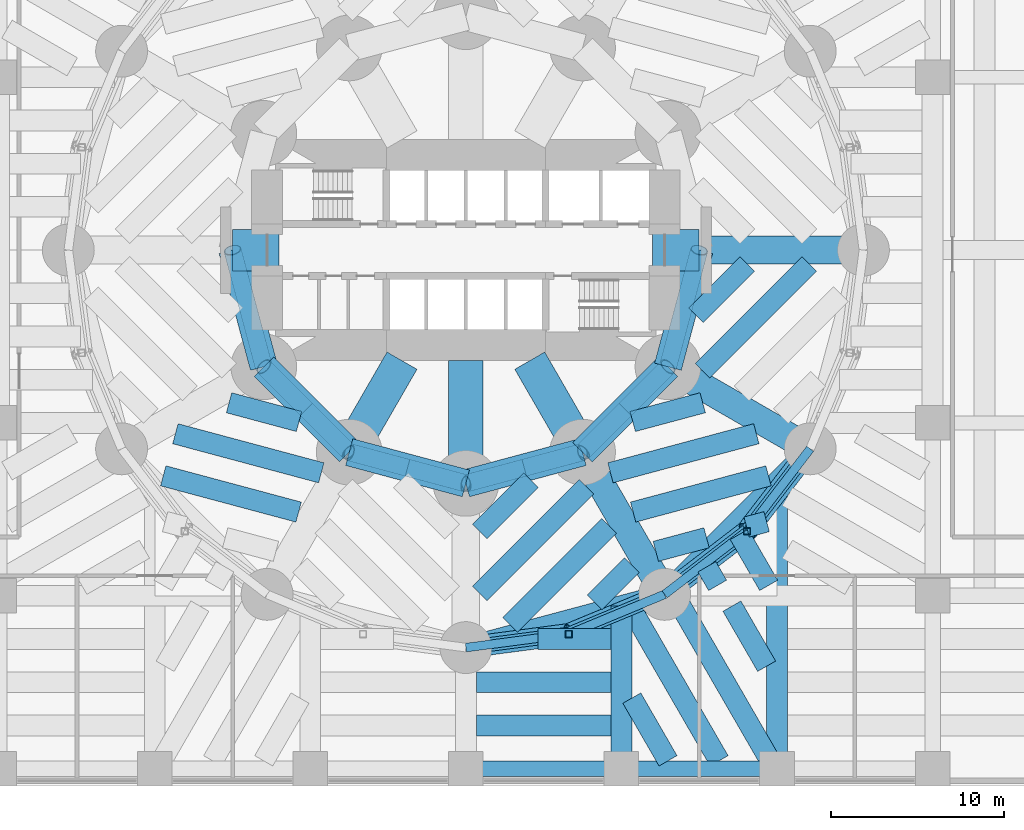
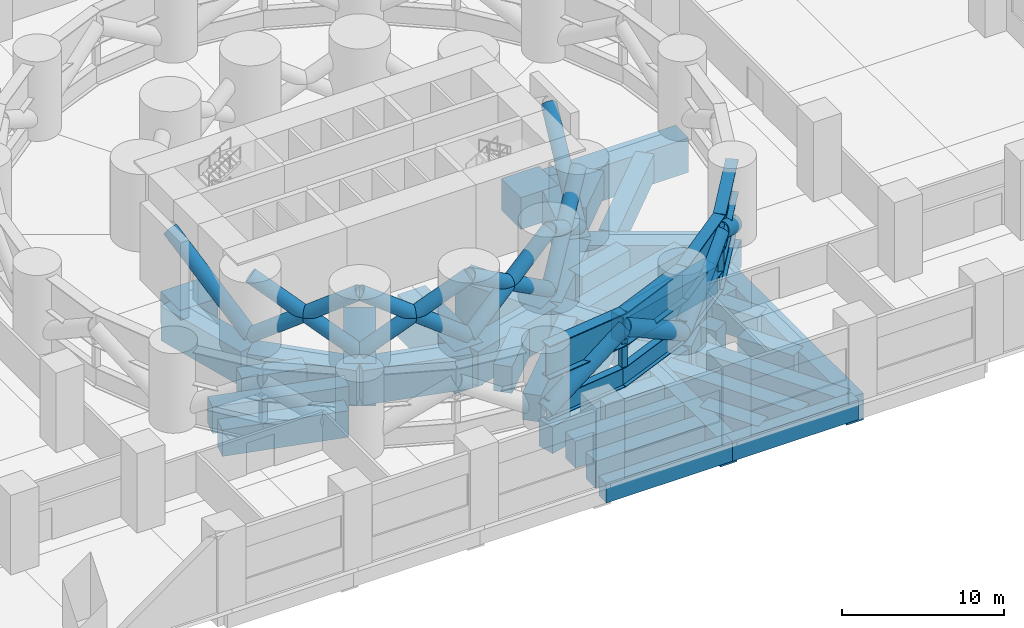
# One storey, part 3 of 14: 51 beams, 16 members.
"""IFC4 building model written with IfcOpenShell, lengths in metres."""

from ifc_helpers import new_model, si_unit, direction, frame, origin, origin_2d, place, context, subcontext, project, spatial, rectangle, hollow_rectangle, hollow_circle, i_section, extrude, material, material_profile, profile_set, type_object, element, save


model = new_model("IFC4")

# Units and contexts
model_context = context("Model", 3, precision=1e-05, world=origin(), true_north=direction((0.0, 1.0)))
body_context = subcontext(model_context, "Body", "Model", "MODEL_VIEW")
ifc_project = project(units=[si_unit("LENGTHUNIT", "METRE"), si_unit("AREAUNIT", "SQUARE_METRE"), si_unit("VOLUMEUNIT", "CUBIC_METRE"), si_unit("PLANEANGLEUNIT", "RADIAN"), si_unit("MASSUNIT", "GRAM", prefix="KILO")], contexts=[model_context])

# Site, building, storey
site_placement = place(None, origin())
site = spatial("IfcSite", under=ifc_project, at=site_placement, CompositionType="ELEMENT")
building_placement = place(site_placement, origin())
building = spatial("IfcBuilding", under=site, at=building_placement, Name="Qaws Media Tower", CompositionType="ELEMENT")
storey_placement = place(building_placement, frame((0.0, 0.0, 20.0)))
storey = spatial("IfcBuildingStorey", under=building, at=storey_placement, Name="L03", CompositionType="ELEMENT", Elevation=20.0)

# Members
ifc_material_1 = material(Name="Steel S355", Category="steel")
ifc_material_profile_1 = material_profile(ifc_material_1, hollow_circle(Radius=0.508056640625, WallThickness=0.050048828125, at=origin_2d()), Name="CHS 1016x50")
ifc_profile_set_1 = profile_set([ifc_material_profile_1], Name="Steel S355")
member_type_1 = type_object("IfcMemberType", Name="Belt truss diagonal CHS 1016x50", PredefinedType="BRACE", material=ifc_profile_set_1)
for number, where, z_axis, x_axis, name in (
    (1, (48.30859375, 43.25, 0.60009765625), (-0.217597461166, 0.812113202797, 0.541408801865), (-0.965928090778, -0.258810593767, 0.0), "BT1 belt diagonal L03 I08 falling"),
    (2, (48.30859375, 43.25, 0.60009765625), (0.594509373034, -0.594509373034, 0.541403002162), (0.707106781187, 0.707106781187, 0.0), "BT1 belt diagonal L03 I08 rising"),
    (3, (53.25, 38.30859375, 0.60009765625), (-0.594509373034, 0.594509373034, 0.541403002162), (-0.707106781187, -0.707106781187, 0.0), "BT1 belt diagonal L03 I09 falling"),
    (4, (53.25, 38.30859375, 0.60009765625), (0.812113202797, -0.217597461166, 0.541408801865), (0.258810593767, 0.965928090778, 0.0), "BT1 belt diagonal L03 I09 rising"),
    (5, (60.0, 36.5, 0.60009765625), (-0.812113202797, 0.217597461166, 0.541408801865), (-0.258810593767, -0.965928090778, 0.0), "BT1 belt diagonal L03 I10 falling"),
    (6, (60.0, 36.5, 0.60009765625), (0.812113202797, 0.217597461166, 0.541408801865), (-0.258810593767, 0.965928090778, 0.0), "BT1 belt diagonal L03 I10 rising"),
    (7, (66.75, 38.30859375, 0.60009765625), (-0.812113202797, -0.217597461166, 0.541408801865), (0.258810593767, -0.965928090778, 0.0), "BT1 belt diagonal L03 I11 falling"),
    (8, (66.75, 38.30859375, 0.60009765625), (0.594509373034, 0.594509373034, 0.541403002162), (-0.707106781187, 0.707106781187, 0.0), "BT1 belt diagonal L03 I11 rising"),
    (9, (71.69140625, 43.25, 0.60009765625), (-0.594509373034, -0.594509373034, 0.541403002162), (0.707106781187, -0.707106781187, 0.0), "BT1 belt diagonal L03 I12 falling"),
    (10, (71.69140625, 43.25, 0.60009765625), (0.217597461166, 0.812113202797, 0.541408801865), (-0.965928090778, 0.258810593767, 0.0), "BT1 belt diagonal L03 I12 rising"),
):
    element("IfcMember", number, at=place(storey_placement, frame(where, z_axis=z_axis, x_axis=x_axis)), inside=storey, type_object=member_type_1, Name=name, PredefinedType="BRACE", context=body_context, shape_type="SweptSolid", body=[
        extrude(hollow_circle(Radius=0.508056640625, WallThickness=0.050048828125, at=origin_2d()), origin(), (0.0, 0.0, 1.0), 8.311767578125),
    ])

# Beams
ifc_material_2 = material(Name="Concrete C60/75", Category="concrete")
ifc_material_profile_2 = material_profile(ifc_material_2, rectangle(XDim=2.0, YDim=3.199951171875, at=origin_2d()), Name="RC 2000x3200")
ifc_profile_set_2 = profile_set([ifc_material_profile_2], Name="Concrete C60/75")
beam_type_1 = type_object("IfcBeamType", Name="Podium core beam RC 2000x3200", PredefinedType="BEAM", material=ifc_profile_set_2)
beam_1_placement = place(storey_placement, frame((56.304931640625, 43.60009765625, -1.89990234375), z_axis=(-0.49998532359, -0.866033877048, 0.0), x_axis=(0.866033877048, -0.49998532359, 0.0)))
element("IfcBeam", 11, at=beam_1_placement, inside=storey, type_object=beam_type_1, Name="PB14 beam CORE-I09", PredefinedType="BEAM", context=body_context, shape_type="SweptSolid", body=[
    extrude(rectangle(XDim=2.0, YDim=3.199951171875, at=origin_2d()), origin(), (0.0, 0.0, 1.0), 6.110107421875),
])
beam_2_placement = place(storey_placement, frame((60.0, 43.60009765625, -1.89990234375), z_axis=(0.0, -1.0, 0.0), x_axis=(1.0, 0.0, 0.0)))
element("IfcBeam", 12, at=beam_2_placement, inside=storey, type_object=beam_type_1, Name="PB14 beam CORE-I10", PredefinedType="BEAM", context=body_context, shape_type="SweptSolid", body=[
    extrude(rectangle(XDim=2.0, YDim=3.199951171875, at=origin_2d()), origin(), (0.0, 0.0, 1.0), 7.10009765625),
])
beam_3_placement = place(storey_placement, frame((63.695068359375, 43.60009765625, -1.89990234375), z_axis=(0.49998532359, -0.866033877048, 0.0), x_axis=(0.866033877048, 0.49998532359, 0.0)))
element("IfcBeam", 13, at=beam_3_placement, inside=storey, type_object=beam_type_1, Name="PB14 beam CORE-I11", PredefinedType="BEAM", context=body_context, shape_type="SweptSolid", body=[
    extrude(rectangle(XDim=2.0, YDim=3.199951171875, at=origin_2d()), origin(), (0.0, 0.0, 1.0), 6.110107421875),
])
ifc_material_3 = material(Name="Concrete C60/75", Category="concrete")
ifc_material_profile_3 = material_profile(ifc_material_3, rectangle(XDim=2.39990234375, YDim=2.39990234375, at=origin_2d()), Name="RC 2400x2400")
ifc_profile_set_3 = profile_set([ifc_material_profile_3], Name="Concrete C60/75")
beam_type_2 = type_object("IfcBeamType", Name="Podium core stub beam RC 2400x2400", PredefinedType="BEAM", material=ifc_profile_set_3)
for number, where, z_axis, x_axis, name in (
    (14, (70.800048828125, 50.0, -1.5), (1.0, 0.0, 0.0), (0.0, 1.0, 0.0), "PB15 beam CORE-I01"),
    (15, (49.199951171875, 50.0, -1.5), (-1.0, 0.0, 0.0), (0.0, -1.0, 0.0), "PB15 beam CORE-I07"),
):
    element("IfcBeam", number, at=place(storey_placement, frame(where, z_axis=z_axis, x_axis=x_axis)), inside=storey, type_object=beam_type_2, Name=name, PredefinedType="BEAM", context=body_context, shape_type="SweptSolid", body=[
        extrude(rectangle(XDim=2.39990234375, YDim=2.39990234375, at=origin_2d()), origin(), (0.0, 0.0, 1.0), 2.699951171875),
    ])
ifc_material_4 = material(Name="Concrete C60/75", Category="concrete")
ifc_material_profile_4 = material_profile(ifc_material_4, rectangle(XDim=1.199951171875, YDim=2.0, at=origin_2d()), Name="RC 1200x2000")
ifc_profile_set_4 = profile_set([ifc_material_profile_4], Name="Concrete C60/75")
beam_type_3 = type_object("IfcBeamType", Name="Podium long trimmer beam RC 1200x2000", PredefinedType="BEAM", material=ifc_profile_set_4)
beam_4_placement = place(storey_placement, frame((78.0, 20.0, -1.300048828125), z_axis=(0.0, 1.0, 0.0), x_axis=(-1.0, 0.0, 0.0)))
element("IfcBeam", 16, at=beam_4_placement, inside=storey, type_object=beam_type_3, Name="PB11 beam 8/A to the tower ring", PredefinedType="BEAM", context=body_context, shape_type="SweptSolid", body=[
    extrude(rectangle(XDim=1.199951171875, YDim=2.0, at=origin_2d()), origin(), (0.0, 0.0, 1.0), 16.581298828125),
])
ifc_material_5 = material(Name="Concrete C60/75", Category="concrete")
ifc_material_profile_5 = material_profile(ifc_material_5, rectangle(XDim=1.199951171875, YDim=2.0, at=origin_2d()), Name="RC 1200x2000")
ifc_profile_set_5 = profile_set([ifc_material_profile_5], Name="Concrete C60/75")
beam_type_4 = type_object("IfcBeamType", Name="Podium plant floor edge beam RC 1200x2000", PredefinedType="BEAM", material=ifc_profile_set_5)
for number, where, z_axis, x_axis, name in (
    (17, (60.0, 27.0, -1.300048828125), (0.965928280645, 0.258809885148, 0.0), (-0.258809885148, 0.965928280645, 0.0), "PB12 beam M10-M11"),
    (18, (71.5, 30.081298828125, -1.300048828125), (0.707106781187, 0.707106781187, 0.0), (-0.707106781187, 0.707106781187, 0.0), "PB12 beam M11-M12"),
):
    element("IfcBeam", number, at=place(storey_placement, frame(where, z_axis=z_axis, x_axis=x_axis)), inside=storey, type_object=beam_type_4, Name=name, PredefinedType="BEAM", context=body_context, shape_type="SweptSolid", body=[
        extrude(rectangle(XDim=1.199951171875, YDim=2.0, at=origin_2d()), origin(), (0.0, 0.0, 1.0), 11.90576171875),
    ])
ifc_material_6 = material(Name="Concrete C60/75", Category="concrete")
ifc_material_profile_6 = material_profile(ifc_material_6, rectangle(XDim=0.89990234375, YDim=1.5, at=origin_2d()), Name="RC 900x1500")
ifc_profile_set_6 = profile_set([ifc_material_profile_6], Name="Concrete C60/75")
beam_type_5 = type_object("IfcBeamType", Name="Podium plant floor girder RC 900x1500", PredefinedType="BEAM", material=ifc_profile_set_6)
for number, where, z_axis, x_axis, name in (
    (19, (60.0, 20.0, -1.050048828125), (1.0, 0.0, 0.0), (0.0, 1.0, 0.0), "PB6 beam 6-7/A"),
    (20, (69.0, 20.0, -1.050048828125), (1.0, 0.0, 0.0), (0.0, 1.0, 0.0), "PB6 beam 7-8/A"),
):
    element("IfcBeam", number, at=place(storey_placement, frame(where, z_axis=z_axis, x_axis=x_axis)), inside=storey, type_object=beam_type_5, Name=name, PredefinedType="BEAM", context=body_context, shape_type="SweptSolid", body=[
        extrude(rectangle(XDim=0.89990234375, YDim=1.5, at=origin_2d()), origin(), (0.0, 0.0, 1.0), 9.0),
    ])
ifc_material_7 = material(Name="Concrete C60/75", Category="concrete")
ifc_material_profile_7 = material_profile(ifc_material_7, rectangle(XDim=1.199951171875, YDim=2.0, at=origin_2d()), Name="RC 1200x2000")
ifc_profile_set_7 = profile_set([ifc_material_profile_7], Name="Concrete C60/75")
beam_type_6 = type_object("IfcBeamType", Name="Podium secondary beam RC 1200x2000", PredefinedType="BEAM", material=ifc_profile_set_7)
for number, where, z_axis, x_axis, name in (
    (21, (60.60009765625, 22.5, -1.300048828125), (1.0, 0.0, 0.0), (0.0, 1.0, 0.0), "PB7 beam bay 6A line 1"),
    (22, (60.60009765625, 25.0, -1.300048828125), (1.0, 0.0, 0.0), (0.0, 1.0, 0.0), "PB7 beam bay 6A line 2"),
):
    element("IfcBeam", number, at=place(storey_placement, frame(where, z_axis=z_axis, x_axis=x_axis)), inside=storey, type_object=beam_type_6, Name=name, PredefinedType="BEAM", context=body_context, shape_type="SweptSolid", body=[
        extrude(rectangle(XDim=1.199951171875, YDim=2.0, at=origin_2d()), origin(), (0.0, 0.0, 1.0), 7.7998046875),
    ])
beam_5_placement = place(storey_placement, frame((64.184326171875, 27.5, -1.300048828125), z_axis=(1.0, 0.0, 0.0), x_axis=(0.0, 1.0, 0.0)))
element("IfcBeam", 23, at=beam_5_placement, inside=storey, type_object=beam_type_6, Name="PB7 beam bay 6A line 3", PredefinedType="BEAM", context=body_context, shape_type="SweptSolid", body=[
    extrude(rectangle(XDim=1.199951171875, YDim=2.0, at=origin_2d()), origin(), (0.0, 0.0, 1.0), 4.215576171875),
])
beam_6_placement = place(storey_placement, frame((77.39990234375, 25.921630859375, -1.300048828125), z_axis=(-0.500022371132, 0.86601248742, 0.0), x_axis=(-0.86601248742, -0.500022371132, 0.0)))
element("IfcBeam", 24, at=beam_6_placement, inside=storey, type_object=beam_type_6, Name="PB7 beam bay 7A line 1", PredefinedType="BEAM", context=body_context, shape_type="SweptSolid", body=[
    extrude(rectangle(XDim=1.199951171875, YDim=2.0, at=origin_2d()), origin(), (0.0, 0.0, 1.0), 4.016357421875),
])
beam_7_placement = place(storey_placement, frame((77.604248046875, 20.449951171875, -1.300048828125), z_axis=(-0.499998520234, 0.866026258126, 0.0), x_axis=(-0.866026258126, -0.499998520234, 0.0)))
element("IfcBeam", 25, at=beam_7_placement, inside=storey, type_object=beam_type_6, Name="PB7 beam bay 7A line 2", PredefinedType="BEAM", context=body_context, shape_type="SweptSolid", body=[
    extrude(rectangle(XDim=1.199951171875, YDim=2.0, at=origin_2d()), origin(), (0.0, 0.0, 1.0), 10.33447265625),
])
beam_8_placement = place(storey_placement, frame((74.649658203125, 20.449951171875, -1.300048828125), z_axis=(-0.500013403465, 0.866017665152, 0.0), x_axis=(-0.866017665152, -0.500013403465, 0.0)))
element("IfcBeam", 26, at=beam_8_placement, inside=storey, type_object=beam_type_6, Name="PB7 beam bay 7A line 3", PredefinedType="BEAM", context=body_context, shape_type="SweptSolid", body=[
    extrude(rectangle(XDim=1.199951171875, YDim=2.0, at=origin_2d()), origin(), (0.0, 0.0, 1.0), 9.854248046875),
])
beam_9_placement = place(storey_placement, frame((71.69482421875, 20.449951171875, -1.300048828125), z_axis=(-0.499974664501, 0.866040030748, 0.0), x_axis=(-0.866040030748, -0.499974664501, 0.0)))
element("IfcBeam", 27, at=beam_9_placement, inside=storey, type_object=beam_type_6, Name="PB7 beam bay 7A line 4", PredefinedType="BEAM", context=body_context, shape_type="SweptSolid", body=[
    extrude(rectangle(XDim=1.199951171875, YDim=2.0, at=origin_2d()), origin(), (0.0, 0.0, 1.0), 4.189697265625),
])
beam_10_placement = place(storey_placement, frame((77.517578125, 30.60009765625, -1.300048828125), z_axis=(-0.499995597562, 0.866027945518, 0.0), x_axis=(-0.866027945518, -0.499995597562, 0.0)))
element("IfcBeam", 28, at=beam_10_placement, inside=storey, type_object=beam_type_6, Name="PB7 beam bay 7B line 1", PredefinedType="BEAM", context=body_context, shape_type="SweptSolid", body=[
    extrude(rectangle(XDim=1.199951171875, YDim=2.0, at=origin_2d()), origin(), (0.0, 0.0, 1.0), 3.404296875),
])
beam_11_placement = place(storey_placement, frame((74.56298828125, 30.60009765625, -1.300048828125), z_axis=(-0.500136695225, 0.865946468374, 0.0), x_axis=(-0.865946468374, -0.500136695225, 0.0)))
element("IfcBeam", 29, at=beam_11_placement, inside=storey, type_object=beam_type_6, Name="PB7 beam bay 7B line 2", PredefinedType="BEAM", context=body_context, shape_type="SweptSolid", body=[
    extrude(rectangle(XDim=1.199951171875, YDim=2.0, at=origin_2d()), origin(), (0.0, 0.0, 1.0), 1.241455078125),
])
beam_12_placement = place(storey_placement, frame((50.346923828125, 40.080322265625, -1.300048828125), z_axis=(-0.96592491418, 0.258822449118, 0.0), x_axis=(-0.258822449118, -0.96592491418, 0.0)))
element("IfcBeam", 30, at=beam_12_placement, inside=storey, type_object=beam_type_6, Name="PB7 beam bay T08 line 1", PredefinedType="BEAM", context=body_context, shape_type="SweptSolid", body=[
    extrude(rectangle(XDim=1.199951171875, YDim=2.0, at=origin_2d()), origin(), (0.0, 0.0, 1.0), 4.19189453125),
])
beam_13_placement = place(storey_placement, frame((51.63525390625, 37.11181640625, -1.300048828125), z_axis=(-0.965926352771, 0.258817080236, 0.0), x_axis=(-0.258817080236, -0.965926352771, 0.0)))
element("IfcBeam", 31, at=beam_13_placement, inside=storey, type_object=beam_type_6, Name="PB7 beam bay T08 line 2", PredefinedType="BEAM", context=body_context, shape_type="SweptSolid", body=[
    extrude(rectangle(XDim=1.199951171875, YDim=2.0, at=origin_2d()), origin(), (0.0, 0.0, 1.0), 8.73876953125),
])
beam_14_placement = place(storey_placement, frame((50.323486328125, 34.83984375, -1.300048828125), z_axis=(-0.96592990729, 0.25880381412, 0.0), x_axis=(-0.25880381412, -0.96592990729, 0.0)))
element("IfcBeam", 32, at=beam_14_placement, inside=storey, type_object=beam_type_6, Name="PB7 beam bay T08 line 3", PredefinedType="BEAM", context=body_context, shape_type="SweptSolid", body=[
    extrude(rectangle(XDim=1.199951171875, YDim=2.0, at=origin_2d()), origin(), (0.0, 0.0, 1.0), 8.10791015625),
])
beam_15_placement = place(storey_placement, frame((67.453125, 29.6181640625, -1.300048828125), z_axis=(0.707066624059, 0.707146936034, 0.0), x_axis=(-0.707146936034, 0.707066624059, 0.0)))
element("IfcBeam", 33, at=beam_15_placement, inside=storey, type_object=beam_type_6, Name="PB7 beam bay T10 line 1", PredefinedType="BEAM", context=body_context, shape_type="SweptSolid", body=[
    extrude(rectangle(XDim=1.199951171875, YDim=2.0, at=origin_2d()), origin(), (0.0, 0.0, 1.0), 3.039794921875),
])
beam_16_placement = place(storey_placement, frame((62.5576171875, 28.306396484375, -1.300048828125), z_axis=(0.707106781187, 0.707106781187, 0.0), x_axis=(-0.707106781187, 0.707106781187, 0.0)))
element("IfcBeam", 34, at=beam_16_placement, inside=storey, type_object=beam_type_6, Name="PB7 beam bay T10 line 2", PredefinedType="BEAM", context=body_context, shape_type="SweptSolid", body=[
    extrude(rectangle(XDim=1.199951171875, YDim=2.0, at=origin_2d()), origin(), (0.0, 0.0, 1.0), 8.108154296875),
])
beam_17_placement = place(storey_placement, frame((60.800048828125, 30.132568359375, -1.300048828125), z_axis=(0.707106781187, 0.707106781187, 0.0), x_axis=(-0.707106781187, 0.707106781187, 0.0)))
element("IfcBeam", 35, at=beam_17_placement, inside=storey, type_object=beam_type_6, Name="PB7 beam bay T10 line 3", PredefinedType="BEAM", context=body_context, shape_type="SweptSolid", body=[
    extrude(rectangle(XDim=1.199951171875, YDim=2.0, at=origin_2d()), origin(), (0.0, 0.0, 1.0), 8.73876953125),
])
beam_18_placement = place(storey_placement, frame((60.800048828125, 33.71630859375, -1.300048828125), z_axis=(0.707106781187, 0.707106781187, 0.0), x_axis=(-0.707106781187, 0.707106781187, 0.0)))
element("IfcBeam", 36, at=beam_18_placement, inside=storey, type_object=beam_type_6, Name="PB7 beam bay T10 line 4", PredefinedType="BEAM", context=body_context, shape_type="SweptSolid", body=[
    extrude(rectangle(XDim=1.199951171875, YDim=2.0, at=origin_2d()), origin(), (0.0, 0.0, 1.0), 4.19189453125),
])
beam_19_placement = place(storey_placement, frame((70.98828125, 32.56787109375, -1.300048828125), z_axis=(0.965938372983, 0.258772215661, 0.0), x_axis=(-0.258772215661, 0.965938372983, 0.0)))
element("IfcBeam", 37, at=beam_19_placement, inside=storey, type_object=beam_type_6, Name="PB7 beam bay T11 line 1", PredefinedType="BEAM", context=body_context, shape_type="SweptSolid", body=[
    extrude(rectangle(XDim=1.199951171875, YDim=2.0, at=origin_2d()), origin(), (0.0, 0.0, 1.0), 3.039794921875),
])
beam_20_placement = place(storey_placement, frame((76.242919921875, 33.975830078125, -1.300048828125), z_axis=(0.965916206355, 0.258854944518, 0.0), x_axis=(-0.258854944518, 0.965916206355, 0.0)))
element("IfcBeam", 38, at=beam_20_placement, inside=storey, type_object=beam_type_6, Name="PB7 beam bay T11 line 2", PredefinedType="BEAM", context=body_context, shape_type="SweptSolid", body=[
    extrude(rectangle(XDim=1.199951171875, YDim=2.0, at=origin_2d()), origin(), (0.0, 0.0, 1.0), 1.19775390625),
])
beam_21_placement = place(storey_placement, frame((69.676513671875, 34.83984375, -1.300048828125), z_axis=(0.96592990729, 0.25880381412, 0.0), x_axis=(-0.25880381412, 0.96592990729, 0.0)))
element("IfcBeam", 39, at=beam_21_placement, inside=storey, type_object=beam_type_6, Name="PB7 beam bay T11 line 3", PredefinedType="BEAM", context=body_context, shape_type="SweptSolid", body=[
    extrude(rectangle(XDim=1.199951171875, YDim=2.0, at=origin_2d()), origin(), (0.0, 0.0, 1.0), 8.10791015625),
])
beam_22_placement = place(storey_placement, frame((68.36474609375, 37.11181640625, -1.300048828125), z_axis=(0.965926352771, 0.258817080236, 0.0), x_axis=(-0.258817080236, 0.965926352771, 0.0)))
element("IfcBeam", 40, at=beam_22_placement, inside=storey, type_object=beam_type_6, Name="PB7 beam bay T11 line 4", PredefinedType="BEAM", context=body_context, shape_type="SweptSolid", body=[
    extrude(rectangle(XDim=1.199951171875, YDim=2.0, at=origin_2d()), origin(), (0.0, 0.0, 1.0), 8.73876953125),
])
beam_23_placement = place(storey_placement, frame((69.653076171875, 40.080322265625, -1.300048828125), z_axis=(0.96592491418, 0.258822449118, 0.0), x_axis=(-0.258822449118, 0.96592491418, 0.0)))
element("IfcBeam", 41, at=beam_23_placement, inside=storey, type_object=beam_type_6, Name="PB7 beam bay T11 line 5", PredefinedType="BEAM", context=body_context, shape_type="SweptSolid", body=[
    extrude(rectangle(XDim=1.199951171875, YDim=2.0, at=origin_2d()), origin(), (0.0, 0.0, 1.0), 4.19189453125),
])
beam_24_placement = place(storey_placement, frame((73.688232421875, 43.020751953125, -1.300048828125), z_axis=(0.707106781187, 0.707106781187, 0.0), x_axis=(-0.707106781187, 0.707106781187, 0.0)))
element("IfcBeam", 42, at=beam_24_placement, inside=storey, type_object=beam_type_6, Name="PB7 beam bay T12 line 3", PredefinedType="BEAM", context=body_context, shape_type="SweptSolid", body=[
    extrude(rectangle(XDim=1.199951171875, YDim=2.0, at=origin_2d()), origin(), (0.0, 0.0, 1.0), 8.73876953125),
])
beam_25_placement = place(storey_placement, frame((73.319580078125, 46.23583984375, -1.300048828125), z_axis=(0.707106781187, 0.707106781187, 0.0), x_axis=(-0.707106781187, 0.707106781187, 0.0)))
element("IfcBeam", 43, at=beam_25_placement, inside=storey, type_object=beam_type_6, Name="PB7 beam bay T12 line 4", PredefinedType="BEAM", context=body_context, shape_type="SweptSolid", body=[
    extrude(rectangle(XDim=1.199951171875, YDim=2.0, at=origin_2d()), origin(), (0.0, 0.0, 1.0), 4.19189453125),
])
ifc_material_8 = material(Name="Concrete C60/75", Category="concrete")
ifc_material_profile_8 = material_profile(ifc_material_8, rectangle(XDim=1.60009765625, YDim=2.60009765625, at=origin_2d()), Name="RC 1600x2600")
ifc_profile_set_8 = profile_set([ifc_material_profile_8], Name="Concrete C60/75")
beam_type_7 = type_object("IfcBeamType", Name="Podium tower beam RC 1600x2600", PredefinedType="BEAM", material=ifc_profile_set_8)
beam_26_placement = place(storey_placement, frame((73.5, 50.0, -1.60009765625), z_axis=(1.0, 0.0, 0.0), x_axis=(0.0, 1.0, 0.0)))
element("IfcBeam", 44, at=beam_26_placement, inside=storey, type_object=beam_type_7, Name="PB9 beam I01-M01", PredefinedType="BEAM", context=body_context, shape_type="SweptSolid", body=[
    extrude(rectangle(XDim=1.60009765625, YDim=2.60009765625, at=origin_2d()), origin(), (0.0, 0.0, 1.0), 9.5),
])
beam_27_placement = place(storey_placement, frame((46.5, 50.0, -1.60009765625), z_axis=(0.258810593767, -0.965928090778, 0.0), x_axis=(0.965928090778, 0.258810593767, 0.0)))
element("IfcBeam", 45, at=beam_27_placement, inside=storey, type_object=beam_type_7, Name="PB9 beam I07-I08", PredefinedType="BEAM", context=body_context, shape_type="SweptSolid", body=[
    extrude(rectangle(XDim=1.60009765625, YDim=2.60009765625, at=origin_2d()), origin(), (0.0, 0.0, 1.0), 6.988037109375),
])
beam_28_placement = place(storey_placement, frame((48.30859375, 43.25, -1.60009765625), z_axis=(0.707106781187, -0.707106781187, 0.0), x_axis=(0.707106781187, 0.707106781187, 0.0)))
element("IfcBeam", 46, at=beam_28_placement, inside=storey, type_object=beam_type_7, Name="PB9 beam I08-I09", PredefinedType="BEAM", context=body_context, shape_type="SweptSolid", body=[
    extrude(rectangle(XDim=1.60009765625, YDim=2.60009765625, at=origin_2d()), origin(), (0.0, 0.0, 1.0), 6.98828125),
])
for number, where, z_axis, x_axis, name in (
    (47, (53.25, 38.30859375, -1.60009765625), (0.965928090778, -0.258810593767, 0.0), (0.258810593767, 0.965928090778, 0.0), "PB9 beam I09-I10"),
    (48, (60.0, 36.5, -1.60009765625), (0.965928090778, 0.258810593767, 0.0), (-0.258810593767, 0.965928090778, 0.0), "PB9 beam I10-I11"),
):
    element("IfcBeam", number, at=place(storey_placement, frame(where, z_axis=z_axis, x_axis=x_axis)), inside=storey, type_object=beam_type_7, Name=name, PredefinedType="BEAM", context=body_context, shape_type="SweptSolid", body=[
        extrude(rectangle(XDim=1.60009765625, YDim=2.60009765625, at=origin_2d()), origin(), (0.0, 0.0, 1.0), 6.988037109375),
    ])
beam_29_placement = place(storey_placement, frame((66.75, 38.30859375, -1.60009765625), z_axis=(0.499997557548, -0.86602681393, 0.0), x_axis=(0.86602681393, 0.499997557548, 0.0)))
element("IfcBeam", 49, at=beam_29_placement, inside=storey, type_object=beam_type_7, Name="PB9 beam I11-M11", PredefinedType="BEAM", context=body_context, shape_type="SweptSolid", body=[
    extrude(rectangle(XDim=1.60009765625, YDim=2.60009765625, at=origin_2d()), origin(), (0.0, 0.0, 1.0), 9.5),
])
beam_30_placement = place(storey_placement, frame((66.75, 38.30859375, -1.60009765625), z_axis=(0.707106781187, 0.707106781187, 0.0), x_axis=(-0.707106781187, 0.707106781187, 0.0)))
element("IfcBeam", 50, at=beam_30_placement, inside=storey, type_object=beam_type_7, Name="PB9 beam I11-I12", PredefinedType="BEAM", context=body_context, shape_type="SweptSolid", body=[
    extrude(rectangle(XDim=1.60009765625, YDim=2.60009765625, at=origin_2d()), origin(), (0.0, 0.0, 1.0), 6.98828125),
])
beam_31_placement = place(storey_placement, frame((71.69140625, 43.25, -1.60009765625), z_axis=(0.86602681393, -0.499997557548, 0.0), x_axis=(0.499997557548, 0.86602681393, 0.0)))
element("IfcBeam", 51, at=beam_31_placement, inside=storey, type_object=beam_type_7, Name="PB9 beam I12-M12", PredefinedType="BEAM", context=body_context, shape_type="SweptSolid", body=[
    extrude(rectangle(XDim=1.60009765625, YDim=2.60009765625, at=origin_2d()), origin(), (0.0, 0.0, 1.0), 9.5),
])
beam_32_placement = place(storey_placement, frame((71.69140625, 43.25, -1.60009765625), z_axis=(0.258810593767, 0.965928090778, 0.0), x_axis=(-0.965928090778, 0.258810593767, 0.0)))
element("IfcBeam", 52, at=beam_32_placement, inside=storey, type_object=beam_type_7, Name="PB9 beam I12-I01", PredefinedType="BEAM", context=body_context, shape_type="SweptSolid", body=[
    extrude(rectangle(XDim=1.60009765625, YDim=2.60009765625, at=origin_2d()), origin(), (0.0, 0.0, 1.0), 6.988037109375),
])
ifc_material_9 = material(Name="Concrete C60/75", Category="concrete")
ifc_material_profile_9 = material_profile(ifc_material_9, rectangle(XDim=1.199951171875, YDim=2.0, at=origin_2d()), Name="RC 1200x2000")
ifc_profile_set_9 = profile_set([ifc_material_profile_9], Name="Concrete C60/75")
beam_type_8 = type_object("IfcBeamType", Name="Podium trimmer beam RC 1200x2000", PredefinedType="BEAM", material=ifc_profile_set_9)
beam_33_placement = place(storey_placement, frame((69.0, 20.0, -1.300048828125), z_axis=(0.0, 1.0, 0.0), x_axis=(-1.0, 0.0, 0.0)))
element("IfcBeam", 53, at=beam_33_placement, inside=storey, type_object=beam_type_8, Name="PB4 beam 7/A to the tower ring", PredefinedType="BEAM", context=body_context, shape_type="SweptSolid", body=[
    extrude(rectangle(XDim=1.199951171875, YDim=2.0, at=origin_2d()), origin(), (0.0, 0.0, 1.0), 9.41162109375),
])
ifc_material_10 = material(Name="Steel S355", Category="steel")
ifc_material_profile_10 = material_profile(ifc_material_10, i_section(OverallWidth=0.5, OverallDepth=1.5, WebThickness=0.02001953125, FlangeThickness=0.0400390625, at=origin_2d()), Name="PG 1500x500")
ifc_profile_set_10 = profile_set([ifc_material_profile_10], Name="Steel S355")
beam_type_9 = type_object("IfcBeamType", Name="Transfer bottom chord PG 1500x500", PredefinedType="BEAM", material=ifc_profile_set_10)
for number, where, z_axis, x_axis, name in (
    (54, (60.0, 27.0, 0.75), (0.991445297315, 0.130522880875, 0.0), (-0.130522880875, 0.991445297315, 0.0), "TG2 transfer bottom chord N19-N20"),
    (55, (65.952880859375, 27.78369140625, 0.75), (0.923884511653, 0.382671411433, 0.0), (-0.382671411433, 0.923884511653, 0.0), "TG2 transfer bottom chord N20-N21"),
    (56, (71.5, 30.081298828125, 0.75), (0.793339924758, 0.608778912074, 0.0), (-0.608778912074, 0.793339924758, 0.0), "TG2 transfer bottom chord N21-N22"),
    (57, (76.263427734375, 33.736572265625, 0.75), (0.608778912074, 0.793339924758, 0.0), (-0.793339924758, 0.608778912074, 0.0), "TG2 transfer bottom chord N22-N23"),
):
    element("IfcBeam", number, at=place(storey_placement, frame(where, z_axis=z_axis, x_axis=x_axis)), inside=storey, type_object=beam_type_9, Name=name, PredefinedType="BEAM", context=body_context, shape_type="SweptSolid", body=[
        extrude(i_section(OverallWidth=0.5, OverallDepth=1.5, WebThickness=0.02001953125, FlangeThickness=0.0400390625, at=origin_2d()), origin(), (0.0, 0.0, 1.0), 6.004150390625),
    ])
ifc_material_11 = material(Name="Steel S460", Category="steel")
ifc_material_profile_11 = material_profile(ifc_material_11, i_section(OverallWidth=0.800048828125, OverallDepth=2.5, WebThickness=0.030029296875, FlangeThickness=0.06494140625, at=origin_2d()), Name="PG 2500x800")
ifc_profile_set_11 = profile_set([ifc_material_profile_11], Name="Steel S460")
beam_type_10 = type_object("IfcBeamType", Name="Transfer ring girder PG 2500x800", PredefinedType="BEAM", material=ifc_profile_set_11)
for number, where, z_axis, x_axis, name in (
    (58, (60.0, 27.0, 4.449951171875), (0.991445297315, 0.130522880875, 0.0), (-0.130522880875, 0.991445297315, 0.0), "TG1 transfer ring girder N19-N20"),
    (59, (65.952880859375, 27.78369140625, 4.449951171875), (0.923884511653, 0.382671411433, 0.0), (-0.382671411433, 0.923884511653, 0.0), "TG1 transfer ring girder N20-N21"),
    (60, (71.5, 30.081298828125, 4.449951171875), (0.793339924758, 0.608778912074, 0.0), (-0.608778912074, 0.793339924758, 0.0), "TG1 transfer ring girder N21-N22"),
    (61, (76.263427734375, 33.736572265625, 4.449951171875), (0.608778912074, 0.793339924758, 0.0), (-0.793339924758, 0.608778912074, 0.0), "TG1 transfer ring girder N22-N23"),
):
    element("IfcBeam", number, at=place(storey_placement, frame(where, z_axis=z_axis, x_axis=x_axis)), inside=storey, type_object=beam_type_10, Name=name, PredefinedType="BEAM", context=body_context, shape_type="SweptSolid", body=[
        extrude(i_section(OverallWidth=0.800048828125, OverallDepth=2.5, WebThickness=0.030029296875, FlangeThickness=0.06494140625, at=origin_2d()), origin(), (0.0, 0.0, 1.0), 6.004150390625),
    ])

# Members
ifc_material_12 = material(Name="Steel S460", Category="steel")
ifc_material_profile_12 = material_profile(ifc_material_12, hollow_circle(Radius=0.609619140625, WallThickness=0.06005859375, at=origin_2d()), Name="CHS 1219x60")
ifc_profile_set_12 = profile_set([ifc_material_profile_12], Name="Steel S460")
member_type_2 = type_object("IfcMemberType", Name="Transfer truss diagonal CHS 1219x60", PredefinedType="BRACE", material=ifc_profile_set_12)
member_1_placement = place(storey_placement, frame((60.0, 27.0, 0.75), z_axis=(0.844056803129, 0.111119318297, 0.524614725482), x_axis=(-0.130522880875, 0.991445297315, 0.0)))
element("IfcMember", 62, at=member_1_placement, inside=storey, type_object=member_type_2, Name="TT1 transfer diagonal M10a", PredefinedType="BRACE", context=body_context, shape_type="SweptSolid", body=[
    extrude(hollow_circle(Radius=0.609619140625, WallThickness=0.06005859375, at=origin_2d()), origin(), (0.0, 0.0, 1.0), 7.052734375),
])
member_2_placement = place(storey_placement, frame((71.5, 30.081298828125, 0.75), z_axis=(-0.786535320167, -0.32578160724, 0.524622277943), x_axis=(0.382671411433, -0.923884511653, 0.0)))
element("IfcMember", 63, at=member_2_placement, inside=storey, type_object=member_type_2, Name="TT1 transfer diagonal M10b", PredefinedType="BRACE", context=body_context, shape_type="SweptSolid", body=[
    extrude(hollow_circle(Radius=0.609619140625, WallThickness=0.06005859375, at=origin_2d()), origin(), (0.0, 0.0, 1.0), 7.052490234375),
])
for number, where, z_axis, x_axis, name in (
    (64, (71.5, 30.081298828125, 0.75), (0.675402608617, 0.518278297177, 0.5246131174), (-0.608778912074, 0.793339924758, 0.0), "TT1 transfer diagonal M11a"),
    (65, (79.918701171875, 38.5, 0.75), (-0.518278297177, -0.675402608617, 0.5246131174), (0.793339924758, -0.608778912074, 0.0), "TT1 transfer diagonal M11b"),
):
    element("IfcMember", number, at=place(storey_placement, frame(where, z_axis=z_axis, x_axis=x_axis)), inside=storey, type_object=member_type_2, Name=name, PredefinedType="BRACE", context=body_context, shape_type="SweptSolid", body=[
        extrude(hollow_circle(Radius=0.609619140625, WallThickness=0.06005859375, at=origin_2d()), origin(), (0.0, 0.0, 1.0), 7.052734375),
    ])
ifc_material_13 = material(Name="Steel S355", Category="steel")
ifc_material_profile_13 = material_profile(ifc_material_13, hollow_rectangle(XDim=0.39990234375, YDim=0.39990234375, WallThickness=0.02001953125, at=origin_2d()), Name="SHS 400x400x20")
ifc_profile_set_13 = profile_set([ifc_material_profile_13], Name="Steel S355")
member_type_3 = type_object("IfcMemberType", Name="Transfer truss post SHS 400x400x20", PredefinedType="STRUT", material=ifc_profile_set_13)
for number, where, z_axis, x_axis, name in (
    (66, (65.952880859375, 27.78369140625, 1.5), (0.0, 0.0, 1.0), (1.0, 0.0, 0.0), "TT2 transfer post N20"),
    (67, (76.263427734375, 33.736572265625, 1.5), (0.0, 0.0, 1.0), (1.0, 0.0, 0.0), "TT2 transfer post N22"),
):
    element("IfcMember", number, at=place(storey_placement, frame(where, z_axis=z_axis, x_axis=x_axis)), inside=storey, type_object=member_type_3, Name=name, PredefinedType="STRUT", context=body_context, shape_type="SweptSolid", body=[
        extrude(hollow_rectangle(XDim=0.39990234375, YDim=0.39990234375, WallThickness=0.02001953125, at=origin_2d()), origin(), (0.0, 0.0, 1.0), 2.050048828125),
    ])

save(model, "model.ifc")
